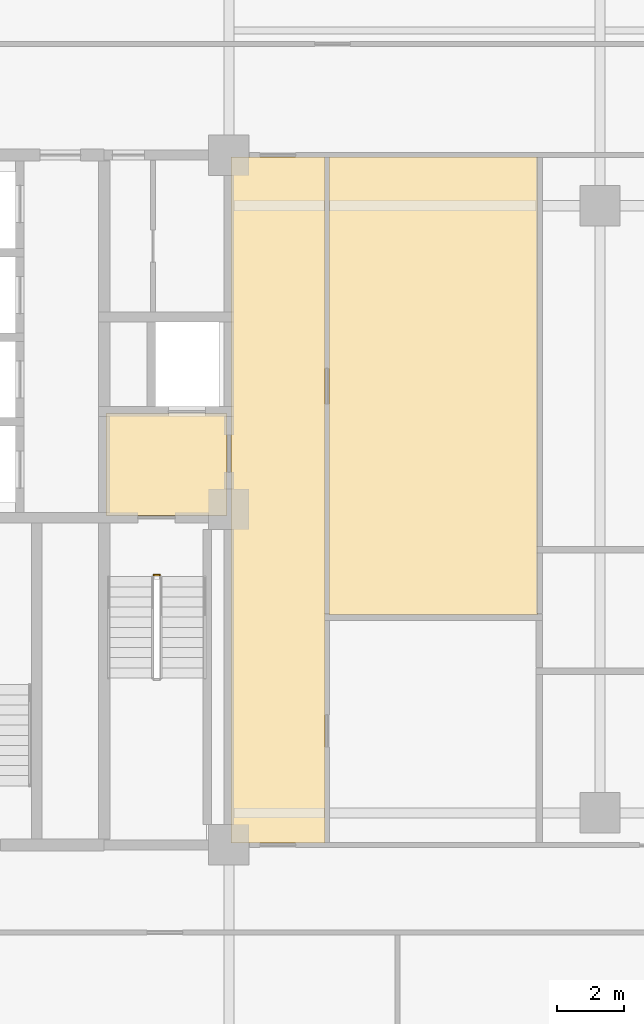
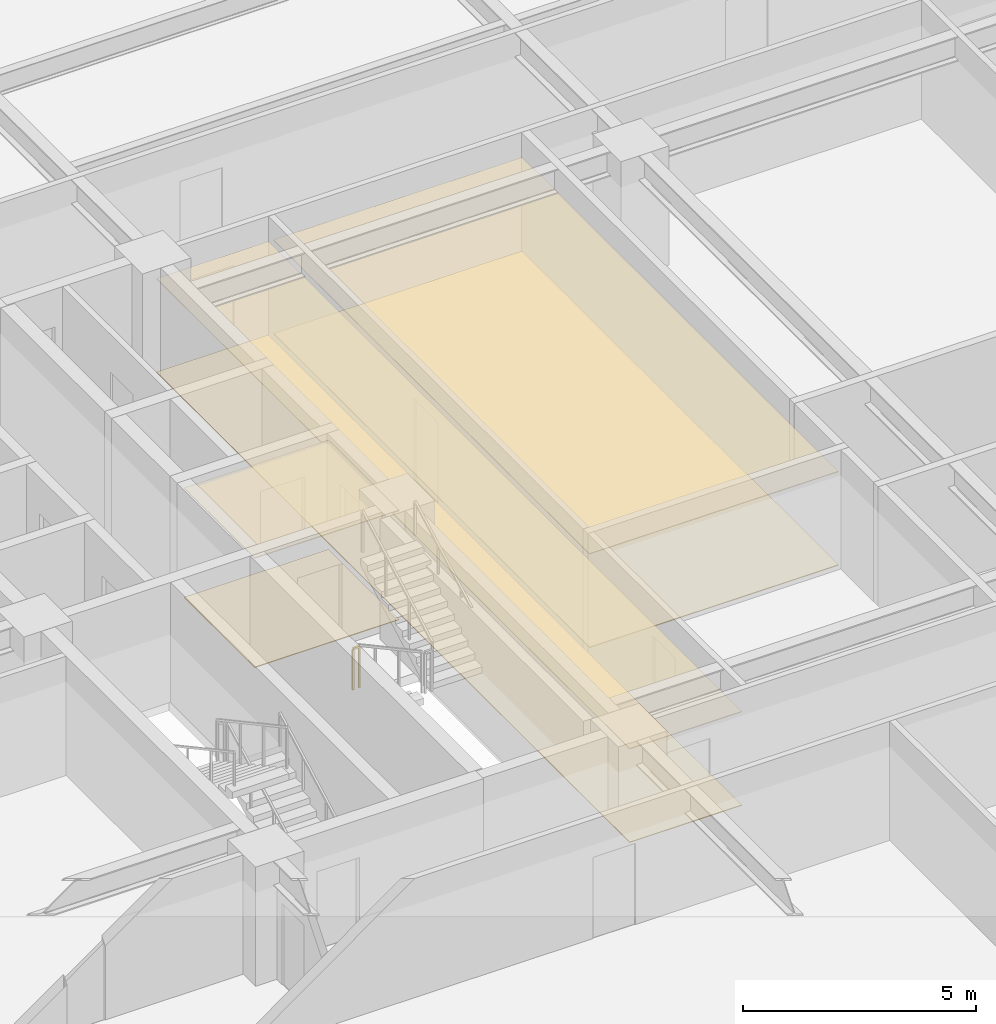
# One storey, part 16 of 18: 6 coverings, 1 railing.
"""IFC4 building model written with IfcOpenShell, lengths in metres."""

from ifc_helpers import new_model, si_unit, direction, frame, origin, origin_2d, place, context, subcontext, project, spatial, polyline, rectangle, outline, extrude, material, layer, layer_set, type_object, element, save


model = new_model("IFC4")

# Units and contexts
model_context = context("Model", 3, precision=1e-05, world=origin(), true_north=direction((0.0, 1.0)))
body_context = subcontext(model_context, "Body", "Model", "MODEL_VIEW")
ifc_project = project(units=[si_unit("LENGTHUNIT", "METRE"), si_unit("AREAUNIT", "SQUARE_METRE"), si_unit("VOLUMEUNIT", "CUBIC_METRE"), si_unit("PLANEANGLEUNIT", "RADIAN"), si_unit("MASSUNIT", "GRAM", prefix="KILO")], contexts=[model_context])

# Site, building, storey
site_placement = place(None, origin())
site = spatial("IfcSite", under=ifc_project, at=site_placement, CompositionType="ELEMENT")
building_placement = place(site_placement, origin())
building = spatial("IfcBuilding", under=site, at=building_placement, Name="Zulmaris Gate Convention Tower", CompositionType="ELEMENT")
storey_placement = place(building_placement, frame((0.0, 0.0, 78.60986328125)))
storey = spatial("IfcBuildingStorey", under=building, at=storey_placement, Name="L19", CompositionType="ELEMENT", Elevation=78.60986328125)

# Coverings
ifc_material_1 = material(Name="Mineral Fibre Acoustic Ceiling Tile")
ifc_layer_1 = layer(ifc_material_1, 0.02001953125, Name="Mineral Fibre Acoustic Ceiling Tile")
ifc_layer_set_1 = layer_set([ifc_layer_1], Name="Mineral Fibre Acoustic Ceiling Tile")
covering_type_1 = type_object("IfcCoveringType", Name="CLG-ACOUSTIC-600", PredefinedType="CEILING", material=ifc_layer_set_1)
covering_1_placement = place(storey_placement, frame((0.0, 0.0, 2.864990234375)))
element("IfcCovering", 1, at=covering_1_placement, inside=storey, type_object=covering_type_1, Name="CLG-L19-R03", PredefinedType="CEILING", context=body_context, shape_type="SweptSolid", body=[
    extrude(outline(polyline([(-14.639892578125, -0.18994140625), (-11.06005859375, -0.18994140625), (-11.06005859375, 2.840087890625), (-14.639892578125, 2.840087890625), (-14.639892578125, -0.18994140625)])), origin(), (0.0, 0.0, 1.0), 0.02001953125),
])
covering_2_placement = place(storey_placement, frame((0.0, 0.0, 2.453125)))
element("IfcCovering", 2, at=covering_2_placement, inside=storey, type_object=covering_type_1, Name="CLG-L19-R31", PredefinedType="CEILING", context=body_context, shape_type="SweptSolid", body=[
    extrude(outline(polyline([(-10.93994140625, -9.889892578125), (-8.159912109375, -9.889892578125), (-8.159912109375, 10.43994140625), (-10.93994140625, 10.43994140625), (-10.93994140625, -9.889892578125)])), origin(), (0.0, 0.0, 1.0), 0.02001953125),
])
covering_3_placement = place(storey_placement, frame((0.0, 0.0, 2.453125)))
element("IfcCovering", 3, at=covering_3_placement, inside=storey, type_object=covering_type_1, Name="CLG-L19-R39", PredefinedType="CEILING", context=body_context, shape_type="SweptSolid", body=[
    extrude(outline(polyline([(-8.0400390625, -3.139892578125), (-1.860107421875, -3.139892578125), (-1.860107421875, 10.43994140625), (-8.0400390625, 10.43994140625), (-8.0400390625, -3.139892578125)])), origin(), (0.0, 0.0, 1.0), 0.02001953125),
])
ifc_material_2 = material(Name="Woven Acoustic Wool Carpet Tile")
ifc_layer_2 = layer(ifc_material_2, 0.02001953125, Name="Woven Acoustic Wool Carpet Tile")
ifc_layer_set_2 = layer_set([ifc_layer_2], Name="Woven Acoustic Wool Carpet Tile")
covering_type_2 = type_object("IfcCoveringType", Name="FLR-CARPET-12", PredefinedType="FLOORING", material=ifc_layer_set_2)
covering_4_placement = place(storey_placement, origin())
element("IfcCovering", 4, at=covering_4_placement, inside=storey, type_object=covering_type_2, Name="FLR-L19-R03", PredefinedType="FLOORING", context=body_context, shape_type="SweptSolid", body=[
    extrude(outline(polyline([(-14.639892578125, -0.18994140625), (-11.06005859375, -0.18994140625), (-11.06005859375, 2.840087890625), (-14.639892578125, 2.840087890625), (-14.639892578125, -0.18994140625)])), origin(), (0.0, 0.0, 1.0), 0.02001953125),
])
covering_5_placement = place(storey_placement, origin())
element("IfcCovering", 5, at=covering_5_placement, inside=storey, type_object=covering_type_2, Name="FLR-L19-R31", PredefinedType="FLOORING", context=body_context, shape_type="SweptSolid", body=[
    extrude(outline(polyline([(-10.93994140625, -9.889892578125), (-8.159912109375, -9.889892578125), (-8.159912109375, 10.43994140625), (-10.93994140625, 10.43994140625), (-10.93994140625, -9.889892578125)])), origin(), (0.0, 0.0, 1.0), 0.02001953125),
])
ifc_material_3 = material(Name="Engineered Teak Parquet Flooring")
ifc_layer_3 = layer(ifc_material_3, 0.02001953125, Name="Engineered Teak Parquet Flooring")
ifc_layer_set_3 = layer_set([ifc_layer_3], Name="Engineered Teak Parquet Flooring")
covering_type_3 = type_object("IfcCoveringType", Name="FLR-TIMBER-18", PredefinedType="FLOORING", material=ifc_layer_set_3)
covering_6_placement = place(storey_placement, origin())
element("IfcCovering", 6, at=covering_6_placement, inside=storey, type_object=covering_type_3, Name="FLR-L19-R39", PredefinedType="FLOORING", context=body_context, shape_type="SweptSolid", body=[
    extrude(outline(polyline([(-8.0400390625, -3.139892578125), (-1.860107421875, -3.139892578125), (-1.860107421875, 10.43994140625), (-8.0400390625, 10.43994140625), (-8.0400390625, -3.139892578125)])), origin(), (0.0, 0.0, 1.0), 0.02001953125),
])

# Railing
ifc_material_4 = material(Name="Painted Galvanised Steel", Category="steel")
railing_type = type_object("IfcRailingType", Name="RL-STG-1150", PredefinedType="GUARDRAIL", material=ifc_material_4)
railing_placement = place(storey_placement, frame((-13.219970703125, -1.949951171875, 0.0)))
element("IfcRailing", 7, at=railing_placement, inside=storey, type_object=railing_type, Name="L19 ST-1 stair guard 4", PredefinedType="GUARDRAIL", context=body_context, shape_type="SweptSolid", body=[
    extrude(rectangle(XDim=0.048095703125, YDim=0.048095703125, at=origin_2d()), frame((0.0, 0.0, 1.076171875), z_axis=(1.0, 0.0, 0.0), x_axis=(0.0, 1.0, 0.0)), (0.0, 0.0, 1.0), 0.159912109375),
    extrude(rectangle(XDim=0.0419921875, YDim=0.0419921875, at=origin_2d()), origin(), (0.0, 0.0, 1.0), 1.052001953125),
    extrude(rectangle(XDim=0.0419921875, YDim=0.0419921875, at=origin_2d()), frame((0.159912109375, 0.0, 0.0)), (0.0, 0.0, 1.0), 1.052001953125),
])

save(model, "model.ifc")
